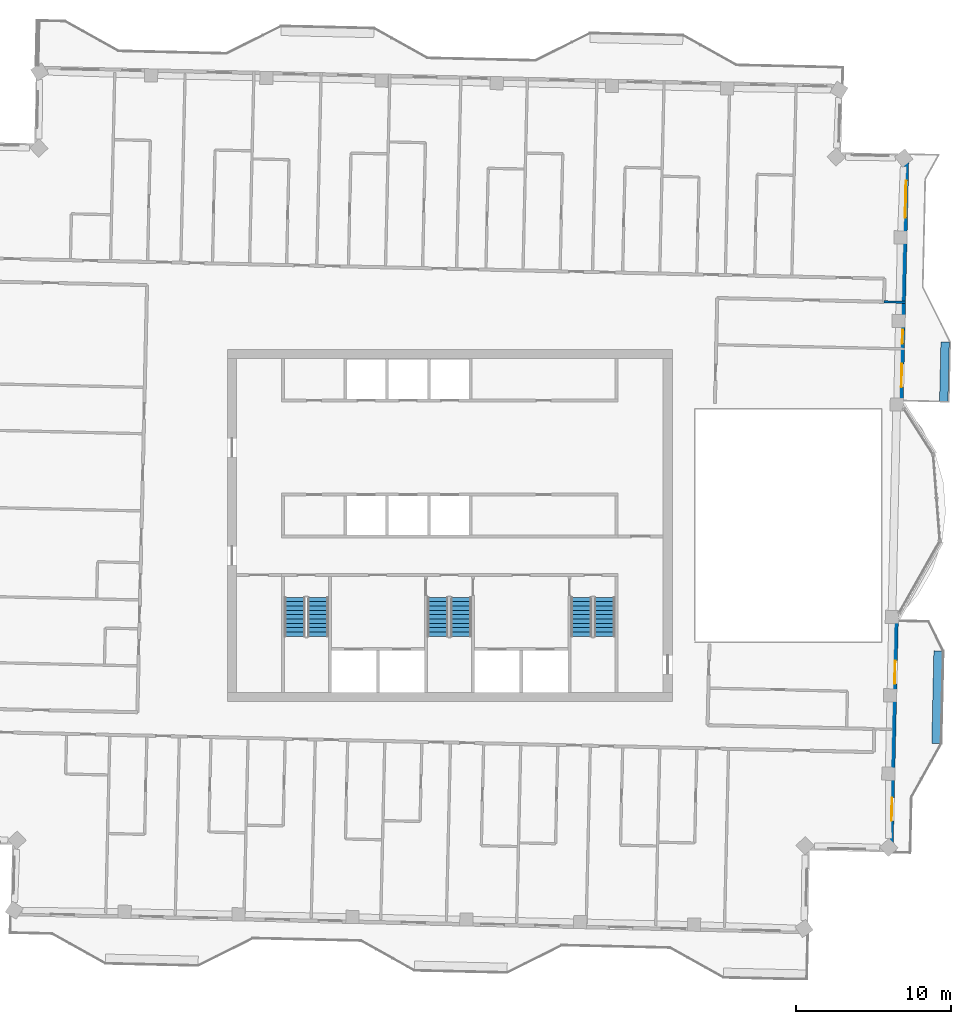
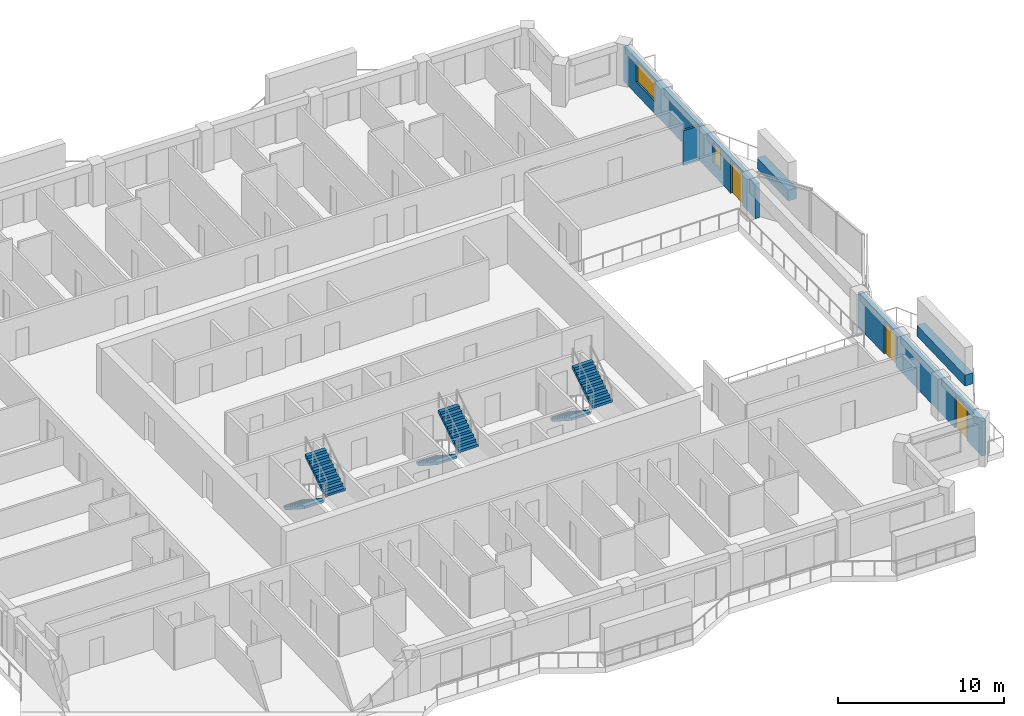
# One storey, part 11 of 15: 6 stair flights, 5 walls, 3 doors, 2 windows, 5 openings, 3 elements without a shape of their own.
"""IFC4 building model written with IfcOpenShell, lengths in metres."""

from ifc_helpers import new_model, si_unit, direction, frame, frame_2d, origin, place, context, subcontext, project, spatial, polyline, rectangle, outline, extrude, material, layer, layer_set, type_object, element, fill, aggregate, save


model = new_model("IFC4")

# Units and contexts
model_context = context("Model", 3, precision=1e-05, world=origin(), true_north=direction((0.0, 1.0)))
body_context = subcontext(model_context, "Body", "Model", "MODEL_VIEW")
ifc_project = project(units=[si_unit("LENGTHUNIT", "METRE"), si_unit("AREAUNIT", "SQUARE_METRE"), si_unit("VOLUMEUNIT", "CUBIC_METRE"), si_unit("PLANEANGLEUNIT", "RADIAN"), si_unit("MASSUNIT", "GRAM", prefix="KILO")], contexts=[model_context])

# Site, building, storey
site_placement = place(None, origin())
site = spatial("IfcSite", under=ifc_project, at=site_placement, CompositionType="ELEMENT")
building_placement = place(site_placement, origin())
building = spatial("IfcBuilding", under=site, at=building_placement, Name="Mangrove Gate Tower", CompositionType="ELEMENT")
storey_placement = place(building_placement, frame((0.0, 0.0, 316.89990234375)))
storey = spatial("IfcBuildingStorey", under=building, at=storey_placement, Name="L81", CompositionType="ELEMENT", Elevation=316.89990234375)

# Wall, openings, doors
ifc_material_1 = material(Name="Limestone", Category="masonry")
ifc_layer_1 = layer(ifc_material_1, 0.0400390625, Name="Limestone cladding")
ifc_material_2 = material(Name="Ventilated air gap")
ifc_layer_2 = layer(ifc_material_2, 0.0400390625, Name="Ventilated cavity")
ifc_material_3 = material(Name="Mineral wool insulation")
ifc_layer_3 = layer(ifc_material_3, 0.06005859375, Name="Insulation")
ifc_material_4 = material(Name="Breather membrane")
ifc_layer_4 = layer(ifc_material_4, 0.001953125, Name="Breather membrane")
ifc_material_5 = material(Name="Concrete C20/25 blockwork", Category="masonry")
ifc_layer_5 = layer(ifc_material_5, 0.14990234375, Name="Blockwork backing wall")
ifc_material_6 = material(Name="Gypsum plaster")
ifc_layer_6 = layer(ifc_material_6, 0.008056640625, Name="Internal plaster")
ifc_layer_set_1 = layer_set([ifc_layer_1, ifc_layer_2, ifc_layer_3, ifc_layer_4, ifc_layer_5, ifc_layer_6], Name="External wall 300 limestone cladding")
wall_type_1 = type_object("IfcWallType", Name="External wall 300 limestone cladding", PredefinedType="SOLIDWALL", material=ifc_layer_set_1)
wall_1_placement = place(storey_placement, frame((28.5439453125, -20.989990234375, 0.0), z_axis=(0.0, 0.0, 1.0), x_axis=(0.02271281838, 0.999742030667, 0.0)))
wall_1 = element("IfcWall", 1, at=wall_1_placement, inside=storey, type_object=wall_type_1, Name="WALL-L81-E0s1", PredefinedType="SOLIDWALL", context=body_context, shape_type="SweptSolid", body=[
    extrude(rectangle(XDim=15.5, YDim=0.300048828125, at=frame_2d((7.75, 0.0))), origin(), (0.0, 0.0, 1.0), 2.550048828125),
])
opening_1_placement = place(wall_1_placement, frame((1.8798828125, 0.0, 0.0)))
opening_1 = element("IfcOpeningElement", 2, at=opening_1_placement, cuts=wall_1, Name="Opening BD1", PredefinedType="OPENING", context=body_context, shape_type="SweptSolid", body=[
    extrude(rectangle(XDim=1.5, YDim=2.39990234375, at=frame_2d((0.75, 1.199951171875))), frame((0.0, 0.159912109375, 0.0), z_axis=(0.0, -1.0, 0.0), x_axis=(1.0, 0.0, 0.0)), (0.0, 0.0, 1.0), 0.320068359375),
])
opening_2_placement = place(wall_1_placement, frame((10.758056640625, 0.0, 0.0)))
opening_2 = element("IfcOpeningElement", 3, at=opening_2_placement, cuts=wall_1, Name="Opening BD1", PredefinedType="OPENING", context=body_context, shape_type="SweptSolid", body=[
    extrude(rectangle(XDim=1.5, YDim=2.39990234375, at=frame_2d((0.75, 1.199951171875))), frame((0.0, 0.159912109375, 0.0), z_axis=(0.0, -1.0, 0.0), x_axis=(1.0, 0.0, 0.0)), (0.0, 0.0, 1.0), 0.320068359375),
])
ifc_material_7 = material(Name="Aluminium frame with laminated clear glass", Category="aluminium")
door_type = type_object("IfcDoorType", Name="Balcony sliding door 1500x2400", OperationType="SLIDING_TO_LEFT", PredefinedType="DOOR", material=ifc_material_7)
door_1_placement = place(opening_1_placement, origin())
door_1 = element("IfcDoor", 4, at=door_1_placement, inside=storey, type_object=door_type, Name="DOOR-L81-E0-1", OperationType="SLIDING_TO_LEFT", OverallHeight=2.39990234375, OverallWidth=1.5, PredefinedType="DOOR", context=body_context, shape_type="SweptSolid", body=[
    extrude(rectangle(XDim=1.5, YDim=2.39990234375, at=frame_2d((0.75, 1.199951171875))), frame((0.0, 0.02490234375, 0.0), z_axis=(0.0, -1.0, 0.0), x_axis=(1.0, 0.0, 0.0)), (0.0, 0.0, 1.0), 0.050048828125),
])
fill(opening_1, door_1)
door_2_placement = place(opening_2_placement, origin())
door_2 = element("IfcDoor", 5, at=door_2_placement, inside=storey, type_object=door_type, Name="DOOR-L81-E0-2", OperationType="SLIDING_TO_LEFT", OverallHeight=2.39990234375, OverallWidth=1.5, PredefinedType="DOOR", context=body_context, shape_type="SweptSolid", body=[
    extrude(rectangle(XDim=1.5, YDim=2.39990234375, at=frame_2d((0.75, 1.199951171875))), frame((0.0, 0.02490234375, 0.0), z_axis=(0.0, -1.0, 0.0), x_axis=(1.0, 0.0, 0.0)), (0.0, 0.0, 1.0), 0.050048828125),
])
fill(opening_2, door_2)

# Wall, openings, door, windows
wall_2_placement = place(storey_placement, frame((29.18798828125, 7.404052734375, 0.0), z_axis=(0.0, 0.0, 1.0), x_axis=(0.022728463996, 0.999741675096, 0.0)))
wall_2 = element("IfcWall", 6, at=wall_2_placement, inside=storey, type_object=wall_type_1, Name="WALL-L81-E2s1", PredefinedType="SOLIDWALL", context=body_context, shape_type="SweptSolid", body=[
    extrude(rectangle(XDim=16.4990234375, YDim=0.300048828125, at=frame_2d((8.24951171875, 0.0))), origin(), (0.0, 0.0, 1.0), 2.550048828125),
])
opening_3_placement = place(wall_2_placement, frame((1.56298828125, 0.0, 0.0)))
opening_3 = element("IfcOpeningElement", 7, at=opening_3_placement, cuts=wall_2, Name="Opening BD1", PredefinedType="OPENING", context=body_context, shape_type="SweptSolid", body=[
    extrude(rectangle(XDim=1.5, YDim=2.39990234375, at=frame_2d((0.75, 1.199951171875))), frame((0.0, 0.159912109375, 0.0), z_axis=(0.0, -1.0, 0.0), x_axis=(1.0, 0.0, 0.0)), (0.0, 0.0, 1.0), 0.320068359375),
])
opening_4_placement = place(wall_2_placement, frame((4.366943359375, 0.0, 0.89990234375)))
opening_4 = element("IfcOpeningElement", 8, at=opening_4_placement, cuts=wall_2, Name="Opening W5", PredefinedType="OPENING", context=body_context, shape_type="SweptSolid", body=[
    extrude(rectangle(XDim=0.89990234375, YDim=1.5, at=frame_2d((0.449951171875, 0.75))), frame((0.0, 0.159912109375, 0.0), z_axis=(0.0, -1.0, 0.0), x_axis=(1.0, 0.0, 0.0)), (0.0, 0.0, 1.0), 0.320068359375),
])
opening_5_placement = place(wall_2_placement, frame((12.52392578125, 0.0, 0.89990234375)))
opening_5 = element("IfcOpeningElement", 9, at=opening_5_placement, cuts=wall_2, Name="Opening W2", PredefinedType="OPENING", context=body_context, shape_type="SweptSolid", body=[
    extrude(rectangle(XDim=2.39990234375, YDim=1.5, at=frame_2d((1.199951171875, 0.75))), frame((0.0, 0.159912109375, 0.0), z_axis=(0.0, -1.0, 0.0), x_axis=(1.0, 0.0, 0.0)), (0.0, 0.0, 1.0), 0.320068359375),
])
door_3_placement = place(opening_3_placement, origin())
door_3 = element("IfcDoor", 10, at=door_3_placement, inside=storey, type_object=door_type, Name="DOOR-L81-E2-1", OperationType="SLIDING_TO_LEFT", OverallHeight=2.39990234375, OverallWidth=1.5, PredefinedType="DOOR", context=body_context, shape_type="SweptSolid", body=[
    extrude(rectangle(XDim=1.5, YDim=2.39990234375, at=frame_2d((0.75, 1.199951171875))), frame((0.0, 0.02490234375, 0.0), z_axis=(0.0, -1.0, 0.0), x_axis=(1.0, 0.0, 0.0)), (0.0, 0.0, 1.0), 0.050048828125),
])
fill(opening_3, door_3)
ifc_material_8 = material(Name="Aluminium frame with double-glazed low-e glass", Category="aluminium")
window_type_1 = type_object("IfcWindowType", Name="Corner room window 2400x1500", PartitioningType="DOUBLE_PANEL_VERTICAL", PredefinedType="WINDOW", material=ifc_material_8)
window_1_placement = place(opening_5_placement, origin())
window_1 = element("IfcWindow", 11, at=window_1_placement, inside=storey, type_object=window_type_1, Name="WIN-L81-E2-3", OverallHeight=1.5, OverallWidth=2.39990234375, PartitioningType="DOUBLE_PANEL_VERTICAL", PredefinedType="WINDOW", context=body_context, shape_type="SweptSolid", body=[
    extrude(rectangle(XDim=2.39990234375, YDim=1.5, at=frame_2d((1.199951171875, 0.75))), frame((0.0, 0.030029296875, 0.0), z_axis=(0.0, -1.0, 0.0), x_axis=(1.0, 0.0, 0.0)), (0.0, 0.0, 1.0), 0.06005859375),
])
fill(opening_5, window_1)
ifc_material_9 = material(Name="Aluminium frame with double-glazed low-e glass", Category="aluminium")
window_type_2 = type_object("IfcWindowType", Name="Narrow window 900x1500", PartitioningType="SINGLE_PANEL", PredefinedType="WINDOW", material=ifc_material_9)
window_2_placement = place(opening_4_placement, origin())
window_2 = element("IfcWindow", 12, at=window_2_placement, inside=storey, type_object=window_type_2, Name="WIN-L81-E2-2", OverallHeight=1.5, OverallWidth=0.89990234375, PartitioningType="SINGLE_PANEL", PredefinedType="WINDOW", context=body_context, shape_type="SweptSolid", body=[
    extrude(rectangle(XDim=0.89990234375, YDim=1.5, at=frame_2d((0.449951171875, 0.75))), frame((0.0, 0.030029296875, 0.0), z_axis=(0.0, -1.0, 0.0), x_axis=(1.0, 0.0, 0.0)), (0.0, 0.0, 1.0), 0.06005859375),
])
fill(opening_4, window_2)

# Walls
ifc_material_10 = material(Name="Gypsum board on steel stud, EI 60", Category="steel")
ifc_layer_7 = layer(ifc_material_10, 0.14990234375)
ifc_layer_set_2 = layer_set([ifc_layer_7], Name="Party wall 150 EI 60")
wall_type_2 = type_object("IfcWallType", Name="Party wall 150 EI 60", PredefinedType="PARTITIONING", material=ifc_layer_set_2)
wall_3_placement = place(storey_placement, frame((28.09912109375, 14.47998046875, 0.0), z_axis=(0.0, 0.0, 1.0), x_axis=(0.999738763928, -0.022856156732, 0.0)))
element("IfcWall", 13, at=wall_3_placement, inside=storey, type_object=wall_type_2, Name="WALL-L81-057", PredefinedType="PARTITIONING", context=body_context, shape_type="SweptSolid", body=[
    extrude(rectangle(XDim=1.399169921875, YDim=0.14990234375, at=frame_2d((0.69970703125, 0.0))), origin(), (0.0, 0.0, 1.0), 2.550048828125),
])
ifc_material_11 = material(Name="Concrete C32/40", Category="concrete")
ifc_layer_8 = layer(ifc_material_11, 0.199951171875, Name="Planter trough wall")
ifc_material_12 = material(Name="Bituminous waterproofing membrane")
ifc_layer_9 = layer(ifc_material_12, 0.0048828125, Name="Waterproofing")
ifc_material_13 = material(Name="Drainage board and gravel")
ifc_layer_10 = layer(ifc_material_13, 0.044921875, Name="Drainage layer")
ifc_material_14 = material(Name="Planting soil")
ifc_layer_11 = layer(ifc_material_14, 0.300048828125, Name="Growing medium")
ifc_layer_set_3 = layer_set([ifc_layer_8, ifc_layer_9, ifc_layer_10, ifc_layer_11], Name="Planter wall 550 C32/40")
wall_type_3 = type_object("IfcWallType", Name="Planter wall 550 C32/40", PredefinedType="USERDEFINED", material=ifc_layer_set_3)
wall_4_placement = place(storey_placement, frame((31.466064453125, -14.10498046875, 0.0), z_axis=(0.0, 0.0, 1.0), x_axis=(0.022662255828, 0.999743178102, 0.0)))
element("IfcWall", 14, at=wall_4_placement, inside=storey, type_object=wall_type_3, Name="PLANTER L81 E0.1", ObjectType="PLANTER", PredefinedType="USERDEFINED", context=body_context, shape_type="SweptSolid", body=[
    extrude(rectangle(XDim=6.00048828125, YDim=0.550048828125, at=frame_2d((3.000244140625, 0.0))), origin(), (0.0, 0.0, 1.0), 0.800048828125),
])
wall_5_placement = place(storey_placement, frame((31.968017578125, 8.014892578125, 0.0), z_axis=(0.0, 0.0, 1.0), x_axis=(0.022681332769, 0.999742745482, 0.0)))
element("IfcWall", 15, at=wall_5_placement, inside=storey, type_object=wall_type_3, Name="PLANTER L81 E1.1", ObjectType="PLANTER", PredefinedType="USERDEFINED", context=body_context, shape_type="SweptSolid", body=[
    extrude(rectangle(XDim=3.875, YDim=0.550048828125, at=frame_2d((1.9375, 0.0))), origin(), (0.0, 0.0, 1.0), 0.800048828125),
])

# Stair, stair flights
ifc_material_15 = material(Name="Concrete C40/50", Category="concrete")
stair_type = type_object("IfcStairType", Name="Core stair 1350", PredefinedType="HALF_TURN_STAIR", material=ifc_material_15)
stair_1_placement = place(storey_placement, origin())
stair_1 = element("IfcStair", 16, at=stair_1_placement, inside=storey, type_object=stair_type, Name="L81 Stair 1", PredefinedType="HALF_TURN_STAIR")
ifc_material_16 = material(Name="Concrete C40/50", Category="concrete")
stair_flight_type = type_object("IfcStairFlightType", Name="Core stair flight 1350", PredefinedType="STRAIGHT", material=ifc_material_16)
stair_flight_1_placement = place(storey_placement, frame((-10.02490234375, -4.64990234375, 0.0), z_axis=(0.0, 0.0, 1.0), x_axis=(0.0, -1.0, 0.0)))
stair_flight_1 = element("IfcStairFlight", 17, at=stair_flight_1_placement, type_object=stair_flight_type, Name="ST1 flight 1", NumberOfRisers=10, NumberOfTreads=9, PredefinedType="STRAIGHT", RiserHeight=0.18, TreadLength=0.28, context=body_context, shape_type="SweptSolid", body=[
    extrude(outline(polyline([(0.0, 0.0), (0.0, 0.179931640625), (0.280029296875, 0.179931640625), (0.280029296875, 0.360107421875), (0.56005859375, 0.360107421875), (0.56005859375, 0.5400390625), (0.840087890625, 0.5400390625), (0.840087890625, 0.719970703125), (1.1201171875, 0.719970703125), (1.1201171875, 0.89990234375), (1.39990234375, 0.89990234375), (1.39990234375, 1.080078125), (1.679931640625, 1.080078125), (1.679931640625, 1.260009765625), (1.9599609375, 1.260009765625), (1.9599609375, 1.43994140625), (2.239990234375, 1.43994140625), (2.239990234375, 1.6201171875), (2.52001953125, 1.6201171875), (2.52001953125, 1.800048828125), (2.52001953125, 1.44189453125), (0.277099609375, 0.0), (0.0, 0.0)])), frame((0.0, 0.675048828125, 0.0), z_axis=(0.0, -1.0, 0.0), x_axis=(1.0, 0.0, 0.0)), (0.0, 0.0, 1.0), 1.35009765625),
])
stair_flight_2_placement = place(storey_placement, frame((-8.52490234375, -7.169921875, 1.800048828125), z_axis=(0.0, 0.0, 1.0), x_axis=(0.0, 1.0, 0.0)))
stair_flight_2 = element("IfcStairFlight", 18, at=stair_flight_2_placement, type_object=stair_flight_type, Name="ST1 flight 2", NumberOfRisers=10, NumberOfTreads=9, PredefinedType="STRAIGHT", RiserHeight=0.18, TreadLength=0.28, context=body_context, shape_type="SweptSolid", body=[
    extrude(outline(polyline([(0.0, 0.0), (0.0, 0.179931640625), (0.280029296875, 0.179931640625), (0.280029296875, 0.360107421875), (0.56005859375, 0.360107421875), (0.56005859375, 0.5400390625), (0.840087890625, 0.5400390625), (0.840087890625, 0.719970703125), (1.1201171875, 0.719970703125), (1.1201171875, 0.89990234375), (1.39990234375, 0.89990234375), (1.39990234375, 1.080078125), (1.679931640625, 1.080078125), (1.679931640625, 1.260009765625), (1.9599609375, 1.260009765625), (1.9599609375, 1.43994140625), (2.239990234375, 1.43994140625), (2.239990234375, 1.6201171875), (2.52001953125, 1.6201171875), (2.52001953125, 1.800048828125), (2.52001953125, 1.44189453125), (0.277099609375, 0.0), (0.0, 0.0)])), frame((0.0, 0.675048828125, 0.0), z_axis=(0.0, -1.0, 0.0), x_axis=(1.0, 0.0, 0.0)), (0.0, 0.0, 1.0), 1.35009765625),
])
aggregate(stair_1, [stair_flight_1, stair_flight_2])

stair_2_placement = place(storey_placement, origin())
stair_2 = element("IfcStair", 19, at=stair_2_placement, inside=storey, type_object=stair_type, Name="L81 Stair 2", PredefinedType="HALF_TURN_STAIR")
stair_flight_3_placement = place(storey_placement, frame((-0.77490234375, -4.64990234375, 0.0), z_axis=(0.0, 0.0, 1.0), x_axis=(0.0, -1.0, 0.0)))
stair_flight_3 = element("IfcStairFlight", 20, at=stair_flight_3_placement, type_object=stair_flight_type, Name="ST2 flight 1", NumberOfRisers=10, NumberOfTreads=9, PredefinedType="STRAIGHT", RiserHeight=0.18, TreadLength=0.28, context=body_context, shape_type="SweptSolid", body=[
    extrude(outline(polyline([(0.0, 0.0), (0.0, 0.179931640625), (0.280029296875, 0.179931640625), (0.280029296875, 0.360107421875), (0.56005859375, 0.360107421875), (0.56005859375, 0.5400390625), (0.840087890625, 0.5400390625), (0.840087890625, 0.719970703125), (1.1201171875, 0.719970703125), (1.1201171875, 0.89990234375), (1.39990234375, 0.89990234375), (1.39990234375, 1.080078125), (1.679931640625, 1.080078125), (1.679931640625, 1.260009765625), (1.9599609375, 1.260009765625), (1.9599609375, 1.43994140625), (2.239990234375, 1.43994140625), (2.239990234375, 1.6201171875), (2.52001953125, 1.6201171875), (2.52001953125, 1.800048828125), (2.52001953125, 1.44189453125), (0.277099609375, 0.0), (0.0, 0.0)])), frame((0.0, 0.675048828125, 0.0), z_axis=(0.0, -1.0, 0.0), x_axis=(1.0, 0.0, 0.0)), (0.0, 0.0, 1.0), 1.35009765625),
])
stair_flight_4_placement = place(storey_placement, frame((0.72509765625, -7.169921875, 1.800048828125), z_axis=(0.0, 0.0, 1.0), x_axis=(0.0, 1.0, 0.0)))
stair_flight_4 = element("IfcStairFlight", 21, at=stair_flight_4_placement, type_object=stair_flight_type, Name="ST2 flight 2", NumberOfRisers=10, NumberOfTreads=9, PredefinedType="STRAIGHT", RiserHeight=0.18, TreadLength=0.28, context=body_context, shape_type="SweptSolid", body=[
    extrude(outline(polyline([(0.0, 0.0), (0.0, 0.179931640625), (0.280029296875, 0.179931640625), (0.280029296875, 0.360107421875), (0.56005859375, 0.360107421875), (0.56005859375, 0.5400390625), (0.840087890625, 0.5400390625), (0.840087890625, 0.719970703125), (1.1201171875, 0.719970703125), (1.1201171875, 0.89990234375), (1.39990234375, 0.89990234375), (1.39990234375, 1.080078125), (1.679931640625, 1.080078125), (1.679931640625, 1.260009765625), (1.9599609375, 1.260009765625), (1.9599609375, 1.43994140625), (2.239990234375, 1.43994140625), (2.239990234375, 1.6201171875), (2.52001953125, 1.6201171875), (2.52001953125, 1.800048828125), (2.52001953125, 1.44189453125), (0.277099609375, 0.0), (0.0, 0.0)])), frame((0.0, 0.675048828125, 0.0), z_axis=(0.0, -1.0, 0.0), x_axis=(1.0, 0.0, 0.0)), (0.0, 0.0, 1.0), 1.35009765625),
])
aggregate(stair_2, [stair_flight_3, stair_flight_4])

stair_3_placement = place(storey_placement, origin())
stair_3 = element("IfcStair", 22, at=stair_3_placement, inside=storey, type_object=stair_type, Name="L81 Stair 3", PredefinedType="HALF_TURN_STAIR")
stair_flight_5_placement = place(storey_placement, frame((8.52490234375, -4.64990234375, 0.0), z_axis=(0.0, 0.0, 1.0), x_axis=(0.0, -1.0, 0.0)))
stair_flight_5 = element("IfcStairFlight", 23, at=stair_flight_5_placement, type_object=stair_flight_type, Name="ST3 flight 1", NumberOfRisers=10, NumberOfTreads=9, PredefinedType="STRAIGHT", RiserHeight=0.18, TreadLength=0.28, context=body_context, shape_type="SweptSolid", body=[
    extrude(outline(polyline([(0.0, 0.0), (0.0, 0.179931640625), (0.280029296875, 0.179931640625), (0.280029296875, 0.360107421875), (0.56005859375, 0.360107421875), (0.56005859375, 0.5400390625), (0.840087890625, 0.5400390625), (0.840087890625, 0.719970703125), (1.1201171875, 0.719970703125), (1.1201171875, 0.89990234375), (1.39990234375, 0.89990234375), (1.39990234375, 1.080078125), (1.679931640625, 1.080078125), (1.679931640625, 1.260009765625), (1.9599609375, 1.260009765625), (1.9599609375, 1.43994140625), (2.239990234375, 1.43994140625), (2.239990234375, 1.6201171875), (2.52001953125, 1.6201171875), (2.52001953125, 1.800048828125), (2.52001953125, 1.44189453125), (0.277099609375, 0.0), (0.0, 0.0)])), frame((0.0, 0.675048828125, 0.0), z_axis=(0.0, -1.0, 0.0), x_axis=(1.0, 0.0, 0.0)), (0.0, 0.0, 1.0), 1.35009765625),
])
stair_flight_6_placement = place(storey_placement, frame((10.02490234375, -7.169921875, 1.800048828125), z_axis=(0.0, 0.0, 1.0), x_axis=(0.0, 1.0, 0.0)))
stair_flight_6 = element("IfcStairFlight", 24, at=stair_flight_6_placement, type_object=stair_flight_type, Name="ST3 flight 2", NumberOfRisers=10, NumberOfTreads=9, PredefinedType="STRAIGHT", RiserHeight=0.18, TreadLength=0.28, context=body_context, shape_type="SweptSolid", body=[
    extrude(outline(polyline([(0.0, 0.0), (0.0, 0.179931640625), (0.280029296875, 0.179931640625), (0.280029296875, 0.360107421875), (0.56005859375, 0.360107421875), (0.56005859375, 0.5400390625), (0.840087890625, 0.5400390625), (0.840087890625, 0.719970703125), (1.1201171875, 0.719970703125), (1.1201171875, 0.89990234375), (1.39990234375, 0.89990234375), (1.39990234375, 1.080078125), (1.679931640625, 1.080078125), (1.679931640625, 1.260009765625), (1.9599609375, 1.260009765625), (1.9599609375, 1.43994140625), (2.239990234375, 1.43994140625), (2.239990234375, 1.6201171875), (2.52001953125, 1.6201171875), (2.52001953125, 1.800048828125), (2.52001953125, 1.44189453125), (0.277099609375, 0.0), (0.0, 0.0)])), frame((0.0, 0.675048828125, 0.0), z_axis=(0.0, -1.0, 0.0), x_axis=(1.0, 0.0, 0.0)), (0.0, 0.0, 1.0), 1.35009765625),
])
aggregate(stair_3, [stair_flight_5, stair_flight_6])

save(model, "model.ifc")
